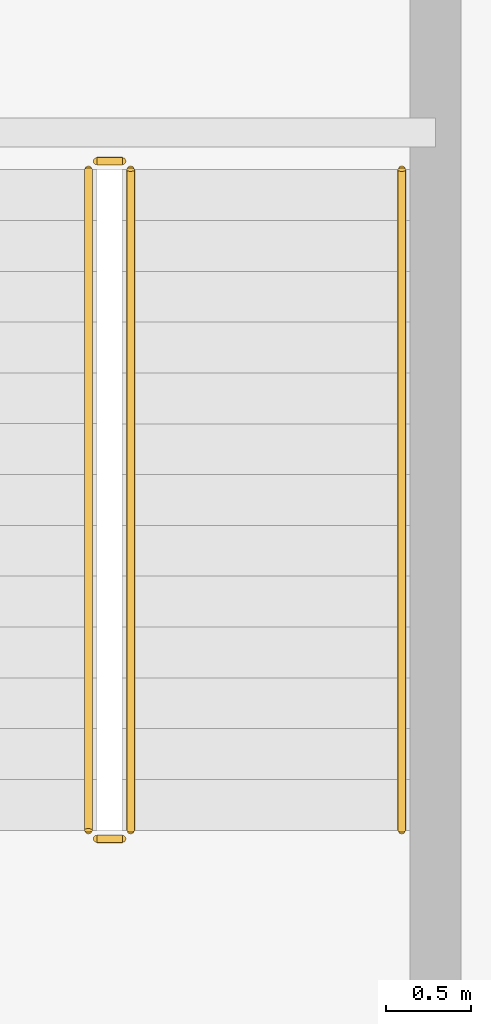
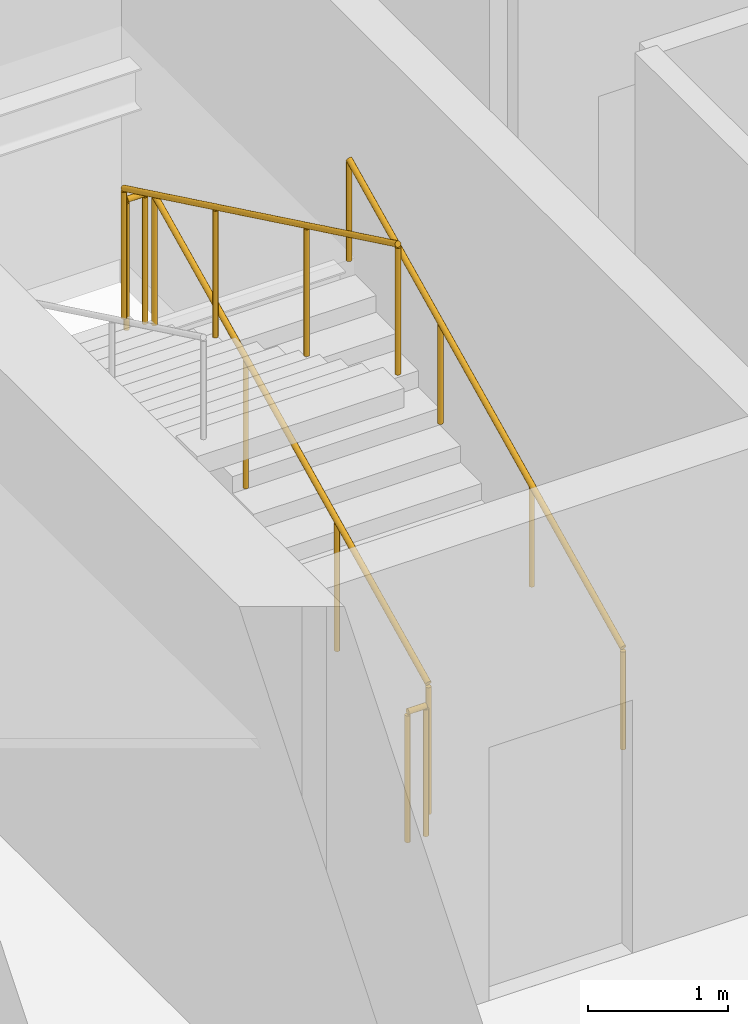
# One storey, part 34 of 37: 5 railings.
"""IFC4 building model written with IfcOpenShell, lengths in metres."""

from ifc_helpers import new_model, si_unit, direction, frame, origin, origin_2d, place, context, subcontext, project, spatial, circle, extrude, material, type_object, element, save


model = new_model("IFC4")

# Units and contexts
model_context = context("Model", 3, precision=1e-05, world=origin(), true_north=direction((0.0, 1.0)))
body_context = subcontext(model_context, "Body", "Model", "MODEL_VIEW")
ifc_project = project(units=[si_unit("LENGTHUNIT", "METRE"), si_unit("AREAUNIT", "SQUARE_METRE"), si_unit("VOLUMEUNIT", "CUBIC_METRE"), si_unit("PLANEANGLEUNIT", "RADIAN"), si_unit("MASSUNIT", "GRAM", prefix="KILO")], contexts=[model_context])

# Site, building, storey
site_placement = place(None, origin())
site = spatial("IfcSite", under=ifc_project, at=site_placement, CompositionType="ELEMENT")
building_placement = place(site_placement, origin())
building = spatial("IfcBuilding", under=site, at=building_placement, Name="Punatoya Terracotta Tower", CompositionType="ELEMENT")
storey_placement = place(building_placement, frame((0.0, 0.0, 192.449951171875)))
storey = spatial("IfcBuildingStorey", under=building, at=storey_placement, Name="L45", CompositionType="ELEMENT", Elevation=192.449951171875)

# Railings
ifc_material = material(Name="Steel S355", Category="steel")
railing_type_1 = type_object("IfcRailingType", Name="RLG-GRD-1150", PredefinedType="GUARDRAIL", material=ifc_material)
railing_1_placement = place(storey_placement, frame((-7.85009765625, -3.800048828125, 0.144775390625)))
element("IfcRailing", 1, at=railing_1_placement, inside=storey, type_object=railing_type_1, Name="L45 ST-1 stair guard 1", PredefinedType="GUARDRAIL", context=body_context, shape_type="SweptSolid", body=[
    extrude(circle(Radius=0.02392578125, at=origin_2d()), frame((0.0, 0.0, 1.1259765625), z_axis=(0.0, 0.900773802044, 0.434288564841), x_axis=(-1.0, 0.0, 0.0)), (0.0, 0.0, 1.0), 4.329833984375),
    extrude(circle(Radius=0.02099609375, at=origin_2d()), origin(), (0.0, 0.0, 1.0), 1.101806640625),
    extrude(circle(Radius=0.02099609375, at=origin_2d()), frame((0.0, 1.300048828125, 0.626708984375)), (0.0, 0.0, 1.0), 1.101806640625),
    extrude(circle(Radius=0.02099609375, at=origin_2d()), frame((0.0, 2.60009765625, 1.253662109375)), (0.0, 0.0, 1.0), 1.101806640625),
    extrude(circle(Radius=0.02099609375, at=origin_2d()), frame((0.0, 3.900146484375, 1.88037109375)), (0.0, 0.0, 1.0), 1.101806640625),
])
railing_2_placement = place(storey_placement, frame((-7.89990234375, 0.14990234375, 2.025146484375)))
element("IfcRailing", 2, at=railing_2_placement, inside=storey, type_object=railing_type_1, Name="L45 ST-1 stair guard 2", PredefinedType="GUARDRAIL", context=body_context, shape_type="SweptSolid", body=[
    extrude(circle(Radius=0.02392578125, at=origin_2d()), frame((0.0, 0.0, 1.1259765625), z_axis=(-1.0, 0.0, 0.0), x_axis=(0.0, -1.0, 0.0)), (0.0, 0.0, 1.0), 0.150146484375),
    extrude(circle(Radius=0.02099609375, at=origin_2d()), origin(), (0.0, 0.0, 1.0), 1.101806640625),
    extrude(circle(Radius=0.02099609375, at=origin_2d()), frame((-0.150146484375, 0.0, 0.0)), (0.0, 0.0, 1.0), 1.101806640625),
])
railing_3_placement = place(storey_placement, frame((-8.10009765625, 0.10009765625, 2.169677734375)))
element("IfcRailing", 3, at=railing_3_placement, inside=storey, type_object=railing_type_1, Name="L45 ST-1 stair guard 3", PredefinedType="GUARDRAIL", context=body_context, shape_type="SweptSolid", body=[
    extrude(circle(Radius=0.02392578125, at=origin_2d()), frame((0.0, 0.0, 1.1259765625), z_axis=(0.0, -0.900773802044, 0.434288564841), x_axis=(1.0, 0.0, 0.0)), (0.0, 0.0, 1.0), 4.329833984375),
    extrude(circle(Radius=0.02099609375, at=origin_2d()), origin(), (0.0, 0.0, 1.0), 1.101806640625),
    extrude(circle(Radius=0.02099609375, at=origin_2d()), frame((0.0, -1.300048828125, 0.626708984375)), (0.0, 0.0, 1.0), 1.101806640625),
    extrude(circle(Radius=0.02099609375, at=origin_2d()), frame((0.0, -2.60009765625, 1.253662109375)), (0.0, 0.0, 1.0), 1.101806640625),
    extrude(circle(Radius=0.02099609375, at=origin_2d()), frame((0.0, -3.900146484375, 1.88037109375)), (0.0, 0.0, 1.0), 1.101806640625),
])
railing_4_placement = place(storey_placement, frame((-7.89990234375, -3.85009765625, 0.0)))
element("IfcRailing", 4, at=railing_4_placement, inside=storey, type_object=railing_type_1, Name="L45 ST-1 stair guard 4", PredefinedType="GUARDRAIL", context=body_context, shape_type="SweptSolid", body=[
    extrude(circle(Radius=0.02392578125, at=origin_2d()), frame((0.0, 0.0, 1.1259765625), z_axis=(-1.0, 0.0, 0.0), x_axis=(0.0, -1.0, 0.0)), (0.0, 0.0, 1.0), 0.150146484375),
    extrude(circle(Radius=0.02099609375, at=origin_2d()), origin(), (0.0, 0.0, 1.0), 1.101806640625),
    extrude(circle(Radius=0.02099609375, at=origin_2d()), frame((-0.150146484375, 0.0, 0.0)), (0.0, 0.0, 1.0), 1.101806640625),
])
railing_type_2 = type_object("IfcRailingType", Name="RLG-HND-900", PredefinedType="HANDRAIL", material=ifc_material)
railing_5_placement = place(storey_placement, frame((-6.25, -3.800048828125, 0.144775390625)))
element("IfcRailing", 5, at=railing_5_placement, inside=storey, type_object=railing_type_2, Name="L45 ST-1 stair handrail 1", PredefinedType="HANDRAIL", context=body_context, shape_type="SweptSolid", body=[
    extrude(circle(Radius=0.02392578125, at=origin_2d()), frame((0.0, 0.0, 0.8759765625), z_axis=(0.0, 0.900773802044, 0.434288564841), x_axis=(-1.0, 0.0, 0.0)), (0.0, 0.0, 1.0), 4.329833984375),
    extrude(circle(Radius=0.02099609375, at=origin_2d()), origin(), (0.0, 0.0, 1.0), 0.851806640625),
    extrude(circle(Radius=0.02099609375, at=origin_2d()), frame((0.0, 1.300048828125, 0.626708984375)), (0.0, 0.0, 1.0), 0.851806640625),
    extrude(circle(Radius=0.02099609375, at=origin_2d()), frame((0.0, 2.60009765625, 1.253662109375)), (0.0, 0.0, 1.0), 0.851806640625),
    extrude(circle(Radius=0.02099609375, at=origin_2d()), frame((0.0, 3.900146484375, 1.88037109375)), (0.0, 0.0, 1.0), 0.851806640625),
])

save(model, "model.ifc")
